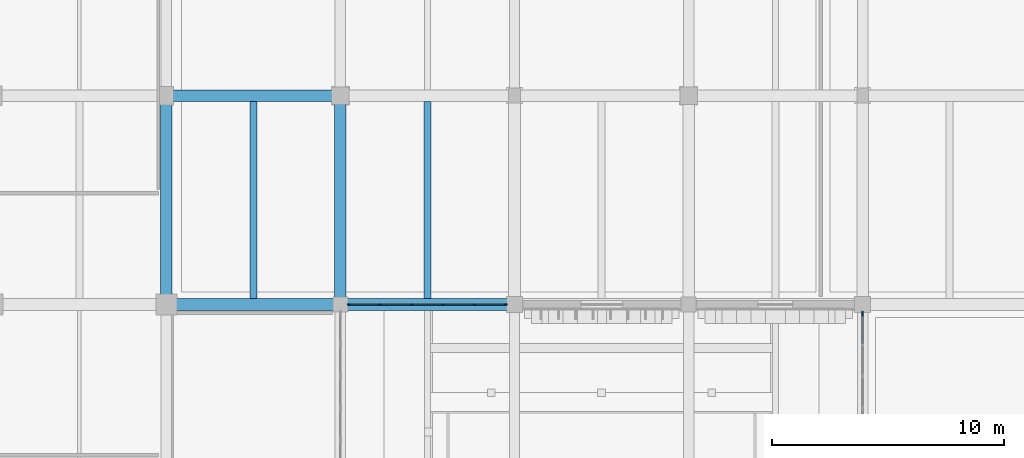
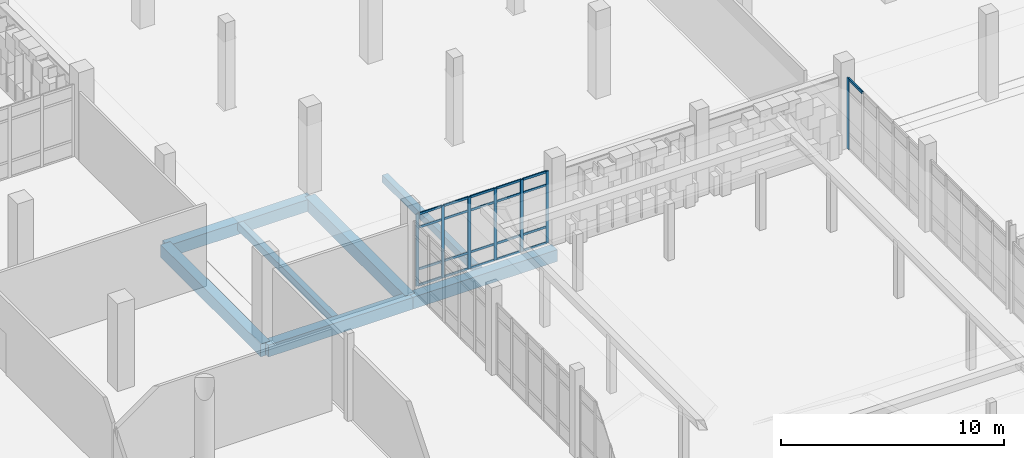
# One storey, part 43 of 125: 28 members, 7 beams, 2 elements without a shape of their own.
"""IFC4 building model written with IfcOpenShell, lengths in metres."""

from ifc_helpers import new_model, si_unit, direction, frame, origin, origin_2d, place, context, subcontext, project, spatial, rectangle, extrude, material, layer, layer_set, material_profile, profile_set, type_object, element, aggregate, save


model = new_model("IFC4")

# Units and contexts
model_context = context("Model", 3, precision=1e-05, world=origin(), true_north=direction((0.0, 1.0)))
body_context = subcontext(model_context, "Body", "Model", "MODEL_VIEW")
ifc_project = project(units=[si_unit("LENGTHUNIT", "METRE"), si_unit("AREAUNIT", "SQUARE_METRE"), si_unit("VOLUMEUNIT", "CUBIC_METRE"), si_unit("PLANEANGLEUNIT", "RADIAN"), si_unit("MASSUNIT", "GRAM", prefix="KILO")], contexts=[model_context])

# Site, building, storey
site_placement = place(None, origin())
site = spatial("IfcSite", under=ifc_project, at=site_placement, CompositionType="ELEMENT")
building_placement = place(site_placement, origin())
building = spatial("IfcBuilding", under=site, at=building_placement, Name="Dalvernix Boulevard General Hospital", CompositionType="ELEMENT")
storey_placement = place(building_placement, origin())
storey = spatial("IfcBuildingStorey", under=building, at=storey_placement, Name="L00", CompositionType="ELEMENT", Elevation=0.0)

# Beams
ifc_material_1 = material(Name="Concrete C35/45", Category="concrete")
ifc_material_profile_1 = material_profile(ifc_material_1, rectangle(XDim=0.5, YDim=0.699951171875, at=origin_2d()), Name="RCB 500x700")
ifc_profile_set_1 = profile_set([ifc_material_profile_1], Name="Concrete C35/45")
beam_type_1 = type_object("IfcBeamType", Name="BM-B-01-I", PredefinedType="BEAM", material=ifc_profile_set_1)
for number, where, z_axis, x_axis, name in (
    (1, (30.0, 76.5, -0.7099609375), (0.0, 1.0, 0.0), (-1.0, 0.0, 0.0), "L00 N-S girder 5:L-M"),
    (2, (37.5, 76.5, -0.7099609375), (0.0, 1.0, 0.0), (-1.0, 0.0, 0.0), "L00 N-S girder 6:L-M"),
):
    element("IfcBeam", number, at=place(storey_placement, frame(where, z_axis=z_axis, x_axis=x_axis)), inside=storey, type_object=beam_type_1, Name=name, PredefinedType="BEAM", context=body_context, shape_type="SweptSolid", body=[
        extrude(rectangle(XDim=0.5, YDim=0.699951171875, at=origin_2d()), origin(), (0.0, 0.0, 1.0), 9.0),
    ])
ifc_material_profile_2 = material_profile(ifc_material_1, rectangle(XDim=0.5, YDim=0.64990234375, at=origin_2d()), Name="RCB 500x650")
ifc_profile_set_2 = profile_set([ifc_material_profile_2], Name="Concrete C35/45")
beam_type_2 = type_object("IfcBeamType", Name="BM-B-02-I", PredefinedType="BEAM", material=ifc_profile_set_2)
for number, where, z_axis, x_axis, name in (
    (3, (30.0, 76.5, -0.68505859375), (1.0, 0.0, 0.0), (0.0, 1.0, 0.0), "L00 E-W girder L:5-6"),
    (4, (37.5, 76.5, -0.68505859375), (1.0, 0.0, 0.0), (0.0, 1.0, 0.0), "L00 E-W girder L:6-7"),
    (5, (30.0, 85.5, -0.68505859375), (1.0, 0.0, 0.0), (0.0, 1.0, 0.0), "L00 E-W girder M:5-6"),
):
    element("IfcBeam", number, at=place(storey_placement, frame(where, z_axis=z_axis, x_axis=x_axis)), inside=storey, type_object=beam_type_2, Name=name, PredefinedType="BEAM", context=body_context, shape_type="SweptSolid", body=[
        extrude(rectangle(XDim=0.5, YDim=0.64990234375, at=origin_2d()), origin(), (0.0, 0.0, 1.0), 7.5),
    ])
ifc_material_profile_3 = material_profile(ifc_material_1, rectangle(XDim=0.300048828125, YDim=0.39990234375, at=origin_2d()), Name="RCB 300x400")
ifc_profile_set_3 = profile_set([ifc_material_profile_3], Name="Concrete C35/45")
beam_type_3 = type_object("IfcBeamType", Name="BM-JB-01", PredefinedType="JOIST", material=ifc_profile_set_3)
for number, where, z_axis, x_axis, name in (
    (6, (33.75, 76.75, -0.56005859375), (0.0, 1.0, 0.0), (-1.0, 0.0, 0.0), "L00 secondary floor beam 5-L"),
    (7, (41.25, 76.75, -0.56005859375), (0.0, 1.0, 0.0), (-1.0, 0.0, 0.0), "L00 secondary floor beam 6-L"),
):
    element("IfcBeam", number, at=place(storey_placement, frame(where, z_axis=z_axis, x_axis=x_axis)), inside=storey, type_object=beam_type_3, Name=name, PredefinedType="JOIST", context=body_context, shape_type="SweptSolid", body=[
        extrude(rectangle(XDim=0.300048828125, YDim=0.39990234375, at=origin_2d()), origin(), (0.0, 0.0, 1.0), 8.5),
    ])

# Curtain wall, members
ifc_material_2 = material(Name="Thermally broken aluminium and solar-control glass curtain wall", Category="aluminium")
ifc_layer_1 = layer(ifc_material_2, 0.159912109375)
ifc_layer_set_1 = layer_set([ifc_layer_1], Name="Thermally broken aluminium and solar-control glass curtain wall (CW-CW-A-68x40)")
curtain_wall_type_1 = type_object("IfcCurtainWallType", Name="CW-CW-A-68x40", PredefinedType="USERDEFINED", material=ifc_layer_set_1)
curtain_wall_1_placement = place(storey_placement, origin())
curtain_wall_1 = element("IfcCurtainWall", 8, at=curtain_wall_1_placement, inside=storey, type_object=curtain_wall_type_1, Name="L00 curtain wall CW-A-68x40 5-10", ObjectType="GLAZED FACADE", PredefinedType="USERDEFINED")
ifc_material_3 = material(Name="Aluminium EN AW-6060", Category="aluminium")
ifc_material_profile_4 = material_profile(ifc_material_3, rectangle(XDim=0.06005859375, YDim=0.159912109375, at=origin_2d()), Name="ALU MULL 60x160")
ifc_profile_set_4 = profile_set([ifc_material_profile_4], Name="Aluminium EN AW-6060")
member_type_1 = type_object("IfcMemberType", Name="MEM-CW-M1", PredefinedType="MULLION", material=ifc_profile_set_4)
member_1_placement = place(storey_placement, frame((44.610107421875, 76.5, 0.0), z_axis=(0.0, 0.0, 1.0), x_axis=(0.0, -1.0, 0.0)))
member_1 = element("IfcMember", 9, at=member_1_placement, type_object=member_type_1, Name="CW-A-68x40 mullion 1", PredefinedType="MULLION", context=body_context, shape_type="SweptSolid", body=[
    extrude(rectangle(XDim=0.06005859375, YDim=0.159912109375, at=origin_2d()), origin(), (0.0, 0.0, 1.0), 3.949951171875),
])
member_2_placement = place(storey_placement, frame((43.279052734375, 76.5, 0.0), z_axis=(0.0, 0.0, 1.0), x_axis=(0.0, -1.0, 0.0)))
member_2 = element("IfcMember", 10, at=member_2_placement, type_object=member_type_1, Name="CW-A-68x40 mullion 2", PredefinedType="MULLION", context=body_context, shape_type="SweptSolid", body=[
    extrude(rectangle(XDim=0.06005859375, YDim=0.159912109375, at=origin_2d()), origin(), (0.0, 0.0, 1.0), 3.949951171875),
])
member_3_placement = place(storey_placement, frame((41.91796875, 76.5, 0.0), z_axis=(0.0, 0.0, 1.0), x_axis=(0.0, -1.0, 0.0)))
member_3 = element("IfcMember", 11, at=member_3_placement, type_object=member_type_1, Name="CW-A-68x40 mullion 3", PredefinedType="MULLION", context=body_context, shape_type="SweptSolid", body=[
    extrude(rectangle(XDim=0.06005859375, YDim=0.159912109375, at=origin_2d()), origin(), (0.0, 0.0, 1.0), 3.949951171875),
])
member_4_placement = place(storey_placement, frame((40.556884765625, 76.5, 0.0), z_axis=(0.0, 0.0, 1.0), x_axis=(0.0, -1.0, 0.0)))
member_4 = element("IfcMember", 12, at=member_4_placement, type_object=member_type_1, Name="CW-A-68x40 mullion 4", PredefinedType="MULLION", context=body_context, shape_type="SweptSolid", body=[
    extrude(rectangle(XDim=0.06005859375, YDim=0.159912109375, at=origin_2d()), origin(), (0.0, 0.0, 1.0), 3.949951171875),
])
member_5_placement = place(storey_placement, frame((39.196044921875, 76.5, 0.0), z_axis=(0.0, 0.0, 1.0), x_axis=(0.0, -1.0, 0.0)))
member_5 = element("IfcMember", 13, at=member_5_placement, type_object=member_type_1, Name="CW-A-68x40 mullion 5", PredefinedType="MULLION", context=body_context, shape_type="SweptSolid", body=[
    extrude(rectangle(XDim=0.06005859375, YDim=0.159912109375, at=origin_2d()), origin(), (0.0, 0.0, 1.0), 3.949951171875),
])
member_6_placement = place(storey_placement, frame((37.864990234375, 76.5, 0.0), z_axis=(0.0, 0.0, 1.0), x_axis=(0.0, -1.0, 0.0)))
member_6 = element("IfcMember", 14, at=member_6_placement, type_object=member_type_1, Name="CW-A-68x40 mullion 6", PredefinedType="MULLION", context=body_context, shape_type="SweptSolid", body=[
    extrude(rectangle(XDim=0.06005859375, YDim=0.159912109375, at=origin_2d()), origin(), (0.0, 0.0, 1.0), 3.949951171875),
])

# Curtain wall, member
ifc_layer_2 = layer(ifc_material_2, 0.199951171875)
ifc_layer_set_2 = layer_set([ifc_layer_2], Name="Thermally broken aluminium and solar-control glass curtain wall (CW-CW-C-68x39)")
curtain_wall_type_2 = type_object("IfcCurtainWallType", Name="CW-CW-C-68x39", PredefinedType="USERDEFINED", material=ifc_layer_set_2)
curtain_wall_2_placement = place(storey_placement, origin())
curtain_wall_2 = element("IfcCurtainWall", 15, at=curtain_wall_2_placement, inside=storey, type_object=curtain_wall_type_2, Name="L00 curtain wall CW-C-68x39 8-9", ObjectType="GLAZED FACADE", PredefinedType="USERDEFINED")
ifc_material_profile_5 = material_profile(ifc_material_3, rectangle(XDim=0.070068359375, YDim=0.199951171875, at=origin_2d()), Name="ALU MULL 70x200")
ifc_profile_set_5 = profile_set([ifc_material_profile_5], Name="Aluminium EN AW-6060")
member_type_2 = type_object("IfcMemberType", Name="MEM-CW-M3", PredefinedType="MULLION", material=ifc_profile_set_5)
member_7_placement = place(storey_placement, frame((60.0, 76.10498046875, 0.0), z_axis=(0.0, 0.0, 1.0), x_axis=(-1.0, 0.0, 0.0)))
member_7 = element("IfcMember", 16, at=member_7_placement, type_object=member_type_2, Name="CW-C-68x39 mullion 6", PredefinedType="MULLION", context=body_context, shape_type="SweptSolid", body=[
    extrude(rectangle(XDim=0.070068359375, YDim=0.199951171875, at=origin_2d()), origin(), (0.0, 0.0, 1.0), 3.89990234375),
])

# Member
ifc_material_profile_6 = material_profile(ifc_material_3, rectangle(XDim=0.06005859375, YDim=0.1201171875, at=origin_2d()), Name="ALU TRAN 60x120")
ifc_profile_set_6 = profile_set([ifc_material_profile_6], Name="Aluminium EN AW-6060")
member_type_3 = type_object("IfcMemberType", Name="MEM-CW-T1", PredefinedType="USERDEFINED", material=ifc_profile_set_6)
member_8_placement = place(storey_placement, frame((44.580078125, 76.5, 0.030029296875), z_axis=(-1.0, 0.0, 0.0), x_axis=(0.0, -1.0, 0.0)))
member_8 = element("IfcMember", 17, at=member_8_placement, type_object=member_type_3, Name="CW-A-68x40 transom 1.1", ObjectType="TRANSOM", PredefinedType="USERDEFINED", context=body_context, shape_type="SweptSolid", body=[
    extrude(rectangle(XDim=0.06005859375, YDim=0.1201171875, at=origin_2d()), origin(), (0.0, 0.0, 1.0), 1.27099609375),
])

member_9_placement = place(storey_placement, frame((44.580078125, 76.5, 0.89990234375), z_axis=(-1.0, 0.0, 0.0), x_axis=(0.0, -1.0, 0.0)))
member_9 = element("IfcMember", 18, at=member_9_placement, type_object=member_type_3, Name="CW-A-68x40 transom 1.2", ObjectType="TRANSOM", PredefinedType="USERDEFINED", context=body_context, shape_type="SweptSolid", body=[
    extrude(rectangle(XDim=0.06005859375, YDim=0.1201171875, at=origin_2d()), origin(), (0.0, 0.0, 1.0), 1.27099609375),
])

member_10_placement = place(storey_placement, frame((44.580078125, 76.5, 3.199951171875), z_axis=(-1.0, 0.0, 0.0), x_axis=(0.0, -1.0, 0.0)))
member_10 = element("IfcMember", 19, at=member_10_placement, type_object=member_type_3, Name="CW-A-68x40 transom 1.3", ObjectType="TRANSOM", PredefinedType="USERDEFINED", context=body_context, shape_type="SweptSolid", body=[
    extrude(rectangle(XDim=0.06005859375, YDim=0.1201171875, at=origin_2d()), origin(), (0.0, 0.0, 1.0), 1.27099609375),
])

member_11_placement = place(storey_placement, frame((44.580078125, 76.5, 3.919921875), z_axis=(-1.0, 0.0, 0.0), x_axis=(0.0, -1.0, 0.0)))
member_11 = element("IfcMember", 20, at=member_11_placement, type_object=member_type_3, Name="CW-A-68x40 transom 1.4", ObjectType="TRANSOM", PredefinedType="USERDEFINED", context=body_context, shape_type="SweptSolid", body=[
    extrude(rectangle(XDim=0.06005859375, YDim=0.1201171875, at=origin_2d()), origin(), (0.0, 0.0, 1.0), 1.27099609375),
])

member_12_placement = place(storey_placement, frame((43.2490234375, 76.5, 0.030029296875), z_axis=(-1.0, 0.0, 0.0), x_axis=(0.0, -1.0, 0.0)))
member_12 = element("IfcMember", 21, at=member_12_placement, type_object=member_type_3, Name="CW-A-68x40 transom 2.1", ObjectType="TRANSOM", PredefinedType="USERDEFINED", context=body_context, shape_type="SweptSolid", body=[
    extrude(rectangle(XDim=0.06005859375, YDim=0.1201171875, at=origin_2d()), origin(), (0.0, 0.0, 1.0), 1.301025390625),
])

member_13_placement = place(storey_placement, frame((43.2490234375, 76.5, 0.89990234375), z_axis=(-1.0, 0.0, 0.0), x_axis=(0.0, -1.0, 0.0)))
member_13 = element("IfcMember", 22, at=member_13_placement, type_object=member_type_3, Name="CW-A-68x40 transom 2.2", ObjectType="TRANSOM", PredefinedType="USERDEFINED", context=body_context, shape_type="SweptSolid", body=[
    extrude(rectangle(XDim=0.06005859375, YDim=0.1201171875, at=origin_2d()), origin(), (0.0, 0.0, 1.0), 1.301025390625),
])

member_14_placement = place(storey_placement, frame((43.2490234375, 76.5, 3.199951171875), z_axis=(-1.0, 0.0, 0.0), x_axis=(0.0, -1.0, 0.0)))
member_14 = element("IfcMember", 23, at=member_14_placement, type_object=member_type_3, Name="CW-A-68x40 transom 2.3", ObjectType="TRANSOM", PredefinedType="USERDEFINED", context=body_context, shape_type="SweptSolid", body=[
    extrude(rectangle(XDim=0.06005859375, YDim=0.1201171875, at=origin_2d()), origin(), (0.0, 0.0, 1.0), 1.301025390625),
])

member_15_placement = place(storey_placement, frame((43.2490234375, 76.5, 3.919921875), z_axis=(-1.0, 0.0, 0.0), x_axis=(0.0, -1.0, 0.0)))
member_15 = element("IfcMember", 24, at=member_15_placement, type_object=member_type_3, Name="CW-A-68x40 transom 2.4", ObjectType="TRANSOM", PredefinedType="USERDEFINED", context=body_context, shape_type="SweptSolid", body=[
    extrude(rectangle(XDim=0.06005859375, YDim=0.1201171875, at=origin_2d()), origin(), (0.0, 0.0, 1.0), 1.301025390625),
])

member_16_placement = place(storey_placement, frame((41.887939453125, 76.5, 0.030029296875), z_axis=(-1.0, 0.0, 0.0), x_axis=(0.0, -1.0, 0.0)))
member_16 = element("IfcMember", 25, at=member_16_placement, type_object=member_type_3, Name="CW-A-68x40 transom 3.1", ObjectType="TRANSOM", PredefinedType="USERDEFINED", context=body_context, shape_type="SweptSolid", body=[
    extrude(rectangle(XDim=0.06005859375, YDim=0.1201171875, at=origin_2d()), origin(), (0.0, 0.0, 1.0), 1.301025390625),
])

member_17_placement = place(storey_placement, frame((41.887939453125, 76.5, 0.89990234375), z_axis=(-1.0, 0.0, 0.0), x_axis=(0.0, -1.0, 0.0)))
member_17 = element("IfcMember", 26, at=member_17_placement, type_object=member_type_3, Name="CW-A-68x40 transom 3.2", ObjectType="TRANSOM", PredefinedType="USERDEFINED", context=body_context, shape_type="SweptSolid", body=[
    extrude(rectangle(XDim=0.06005859375, YDim=0.1201171875, at=origin_2d()), origin(), (0.0, 0.0, 1.0), 1.301025390625),
])

member_18_placement = place(storey_placement, frame((41.887939453125, 76.5, 3.199951171875), z_axis=(-1.0, 0.0, 0.0), x_axis=(0.0, -1.0, 0.0)))
member_18 = element("IfcMember", 27, at=member_18_placement, type_object=member_type_3, Name="CW-A-68x40 transom 3.3", ObjectType="TRANSOM", PredefinedType="USERDEFINED", context=body_context, shape_type="SweptSolid", body=[
    extrude(rectangle(XDim=0.06005859375, YDim=0.1201171875, at=origin_2d()), origin(), (0.0, 0.0, 1.0), 1.301025390625),
])

member_19_placement = place(storey_placement, frame((41.887939453125, 76.5, 3.919921875), z_axis=(-1.0, 0.0, 0.0), x_axis=(0.0, -1.0, 0.0)))
member_19 = element("IfcMember", 28, at=member_19_placement, type_object=member_type_3, Name="CW-A-68x40 transom 3.4", ObjectType="TRANSOM", PredefinedType="USERDEFINED", context=body_context, shape_type="SweptSolid", body=[
    extrude(rectangle(XDim=0.06005859375, YDim=0.1201171875, at=origin_2d()), origin(), (0.0, 0.0, 1.0), 1.301025390625),
])

member_20_placement = place(storey_placement, frame((40.527099609375, 76.5, 0.030029296875), z_axis=(-1.0, 0.0, 0.0), x_axis=(0.0, -1.0, 0.0)))
member_20 = element("IfcMember", 29, at=member_20_placement, type_object=member_type_3, Name="CW-A-68x40 transom 4.1", ObjectType="TRANSOM", PredefinedType="USERDEFINED", context=body_context, shape_type="SweptSolid", body=[
    extrude(rectangle(XDim=0.06005859375, YDim=0.1201171875, at=origin_2d()), origin(), (0.0, 0.0, 1.0), 1.301025390625),
])

member_21_placement = place(storey_placement, frame((40.527099609375, 76.5, 0.89990234375), z_axis=(-1.0, 0.0, 0.0), x_axis=(0.0, -1.0, 0.0)))
member_21 = element("IfcMember", 30, at=member_21_placement, type_object=member_type_3, Name="CW-A-68x40 transom 4.2", ObjectType="TRANSOM", PredefinedType="USERDEFINED", context=body_context, shape_type="SweptSolid", body=[
    extrude(rectangle(XDim=0.06005859375, YDim=0.1201171875, at=origin_2d()), origin(), (0.0, 0.0, 1.0), 1.301025390625),
])

member_22_placement = place(storey_placement, frame((40.527099609375, 76.5, 3.199951171875), z_axis=(-1.0, 0.0, 0.0), x_axis=(0.0, -1.0, 0.0)))
member_22 = element("IfcMember", 31, at=member_22_placement, type_object=member_type_3, Name="CW-A-68x40 transom 4.3", ObjectType="TRANSOM", PredefinedType="USERDEFINED", context=body_context, shape_type="SweptSolid", body=[
    extrude(rectangle(XDim=0.06005859375, YDim=0.1201171875, at=origin_2d()), origin(), (0.0, 0.0, 1.0), 1.301025390625),
])

member_23_placement = place(storey_placement, frame((40.527099609375, 76.5, 3.919921875), z_axis=(-1.0, 0.0, 0.0), x_axis=(0.0, -1.0, 0.0)))
member_23 = element("IfcMember", 32, at=member_23_placement, type_object=member_type_3, Name="CW-A-68x40 transom 4.4", ObjectType="TRANSOM", PredefinedType="USERDEFINED", context=body_context, shape_type="SweptSolid", body=[
    extrude(rectangle(XDim=0.06005859375, YDim=0.1201171875, at=origin_2d()), origin(), (0.0, 0.0, 1.0), 1.301025390625),
])

member_24_placement = place(storey_placement, frame((39.166015625, 76.5, 0.030029296875), z_axis=(-1.0, 0.0, 0.0), x_axis=(0.0, -1.0, 0.0)))
member_24 = element("IfcMember", 33, at=member_24_placement, type_object=member_type_3, Name="CW-A-68x40 transom 5.1", ObjectType="TRANSOM", PredefinedType="USERDEFINED", context=body_context, shape_type="SweptSolid", body=[
    extrude(rectangle(XDim=0.06005859375, YDim=0.1201171875, at=origin_2d()), origin(), (0.0, 0.0, 1.0), 1.27099609375),
])

member_25_placement = place(storey_placement, frame((39.166015625, 76.5, 0.89990234375), z_axis=(-1.0, 0.0, 0.0), x_axis=(0.0, -1.0, 0.0)))
member_25 = element("IfcMember", 34, at=member_25_placement, type_object=member_type_3, Name="CW-A-68x40 transom 5.2", ObjectType="TRANSOM", PredefinedType="USERDEFINED", context=body_context, shape_type="SweptSolid", body=[
    extrude(rectangle(XDim=0.06005859375, YDim=0.1201171875, at=origin_2d()), origin(), (0.0, 0.0, 1.0), 1.27099609375),
])

member_26_placement = place(storey_placement, frame((39.166015625, 76.5, 3.199951171875), z_axis=(-1.0, 0.0, 0.0), x_axis=(0.0, -1.0, 0.0)))
member_26 = element("IfcMember", 35, at=member_26_placement, type_object=member_type_3, Name="CW-A-68x40 transom 5.3", ObjectType="TRANSOM", PredefinedType="USERDEFINED", context=body_context, shape_type="SweptSolid", body=[
    extrude(rectangle(XDim=0.06005859375, YDim=0.1201171875, at=origin_2d()), origin(), (0.0, 0.0, 1.0), 1.27099609375),
])

member_27_placement = place(storey_placement, frame((39.166015625, 76.5, 3.919921875), z_axis=(-1.0, 0.0, 0.0), x_axis=(0.0, -1.0, 0.0)))
member_27 = element("IfcMember", 36, at=member_27_placement, type_object=member_type_3, Name="CW-A-68x40 transom 5.4", ObjectType="TRANSOM", PredefinedType="USERDEFINED", context=body_context, shape_type="SweptSolid", body=[
    extrude(rectangle(XDim=0.06005859375, YDim=0.1201171875, at=origin_2d()), origin(), (0.0, 0.0, 1.0), 1.27099609375),
])

aggregate(curtain_wall_1, [member_1, member_2, member_3, member_4, member_5, member_6, member_8, member_9, member_10, member_11, member_12, member_13, member_14, member_15, member_16, member_17, member_18, member_19, member_20, member_21, member_22, member_23, member_24, member_25, member_26, member_27])

ifc_material_profile_7 = material_profile(ifc_material_3, rectangle(XDim=0.070068359375, YDim=0.14990234375, at=origin_2d()), Name="ALU TRAN 70x150")
ifc_profile_set_7 = profile_set([ifc_material_profile_7], Name="Aluminium EN AW-6060")
member_type_4 = type_object("IfcMemberType", Name="MEM-CW-T3", PredefinedType="USERDEFINED", material=ifc_profile_set_7)
member_28_placement = place(storey_placement, frame((60.0, 74.80908203125, 3.864990234375), z_axis=(0.0, 1.0, 0.0), x_axis=(-1.0, 0.0, 0.0)))
member_28 = element("IfcMember", 37, at=member_28_placement, type_object=member_type_4, Name="CW-C-68x39 transom 5.4", ObjectType="TRANSOM", PredefinedType="USERDEFINED", context=body_context, shape_type="SweptSolid", body=[
    extrude(rectangle(XDim=0.070068359375, YDim=0.14990234375, at=origin_2d()), origin(), (0.0, 0.0, 1.0), 1.260986328125),
])

aggregate(curtain_wall_2, [member_7, member_28])

save(model, "model.ifc")
